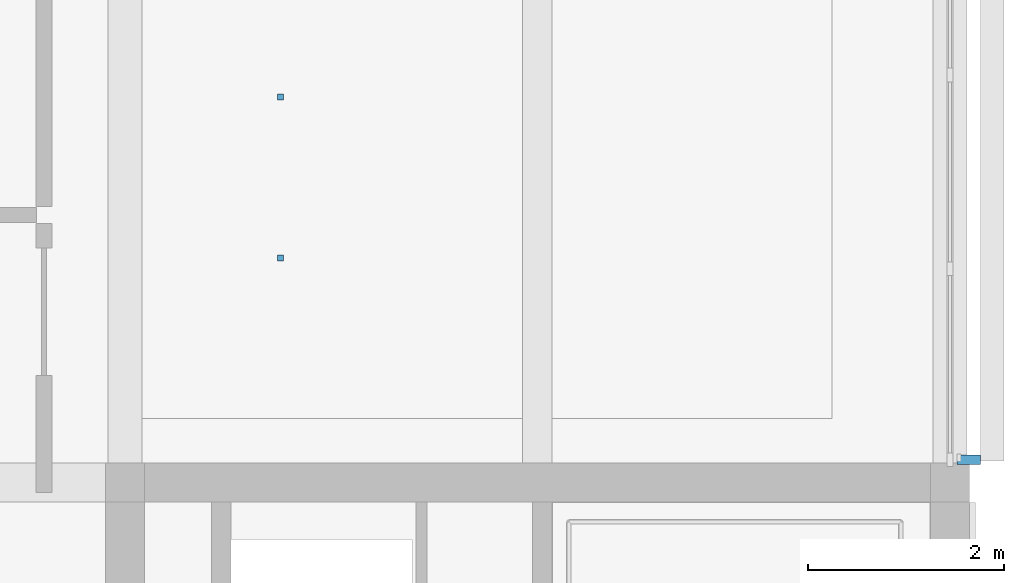
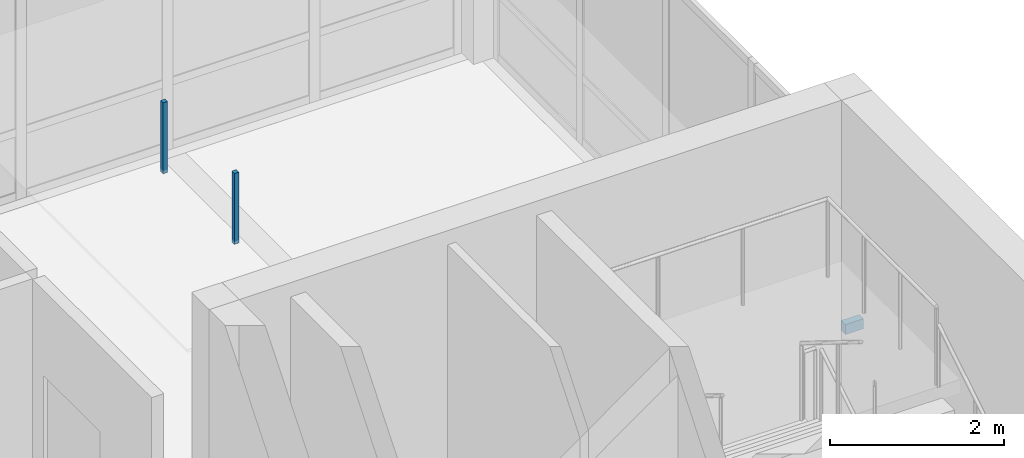
# One storey, part 19 of 29: 3 discrete accessories.
"""IFC4 building model written with IfcOpenShell, lengths in metres."""

from ifc_helpers import new_model, si_unit, direction, frame, origin, origin_2d, place, context, subcontext, project, spatial, rectangle, extrude, material, type_object, element, save


model = new_model("IFC4")

# Units and contexts
model_context = context("Model", 3, precision=1e-05, world=origin(), true_north=direction((0.0, 1.0)))
body_context = subcontext(model_context, "Body", "Model", "MODEL_VIEW")
ifc_project = project(units=[si_unit("LENGTHUNIT", "METRE"), si_unit("AREAUNIT", "SQUARE_METRE"), si_unit("VOLUMEUNIT", "CUBIC_METRE"), si_unit("PLANEANGLEUNIT", "RADIAN"), si_unit("MASSUNIT", "GRAM", prefix="KILO")], contexts=[model_context])

# Site, building, storey
site_placement = place(None, origin())
site = spatial("IfcSite", under=ifc_project, at=site_placement, CompositionType="ELEMENT")
building_placement = place(site_placement, origin())
building = spatial("IfcBuilding", under=site, at=building_placement, Name="Telukmera Botanical Conservatory", CompositionType="ELEMENT")
storey_placement = place(building_placement, frame((0.0, 0.0, 55.5)))
storey = spatial("IfcBuildingStorey", under=building, at=storey_placement, Name="L12", CompositionType="ELEMENT", Elevation=55.5)

# Discrete accessories
ifc_material = material(Name="Steel S355", Category="steel")
discrete_accessory_type_1 = type_object("IfcDiscreteAccessoryType", Name="ACC-CEIL-HGR", PredefinedType="BRACKET", material=ifc_material)
for number, where, z_axis, x_axis, name in (
    (1, (93.98388671875, 36.6875, 3.31005859375), (0.0, 0.0, 1.0), (1.0, 0.0, 0.0), "L12 Suspended Ceiling Hanger Rod 032-1"),
    (2, (93.98388671875, 38.324951171875, 3.31005859375), (0.0, 0.0, 1.0), (1.0, 0.0, 0.0), "L12 Suspended Ceiling Hanger Rod 032-2"),
):
    element("IfcDiscreteAccessory", number, at=place(storey_placement, frame(where, z_axis=z_axis, x_axis=x_axis)), inside=storey, type_object=discrete_accessory_type_1, Name=name, PredefinedType="BRACKET", context=body_context, shape_type="SweptSolid", body=[
        extrude(rectangle(XDim=0.06005859375, YDim=0.06005859375, at=origin_2d()), origin(), (0.0, 0.0, 1.0), 0.9951171875),
    ])
discrete_accessory_type_2 = type_object("IfcDiscreteAccessoryType", Name="Structural Steel Facade Outrigger Fin Bracket", PredefinedType="BRACKET", material=ifc_material)
discrete_accessory_placement = place(storey_placement, frame((100.989990234375, 34.632080078125, 0.8798828125), z_axis=(0.0, 0.0, 1.0), x_axis=(0.0, 1.0, 0.0)))
element("IfcDiscreteAccessory", 3, at=discrete_accessory_placement, inside=storey, type_object=discrete_accessory_type_2, Name="Facade Outrigger Bracket V4:L12:E4 A", PredefinedType="BRACKET", context=body_context, shape_type="SweptSolid", body=[
    extrude(rectangle(XDim=0.10009765625, YDim=0.239990234375, at=origin_2d()), origin(), (0.0, 0.0, 1.0), 0.139892578125),
])

save(model, "model.ifc")
